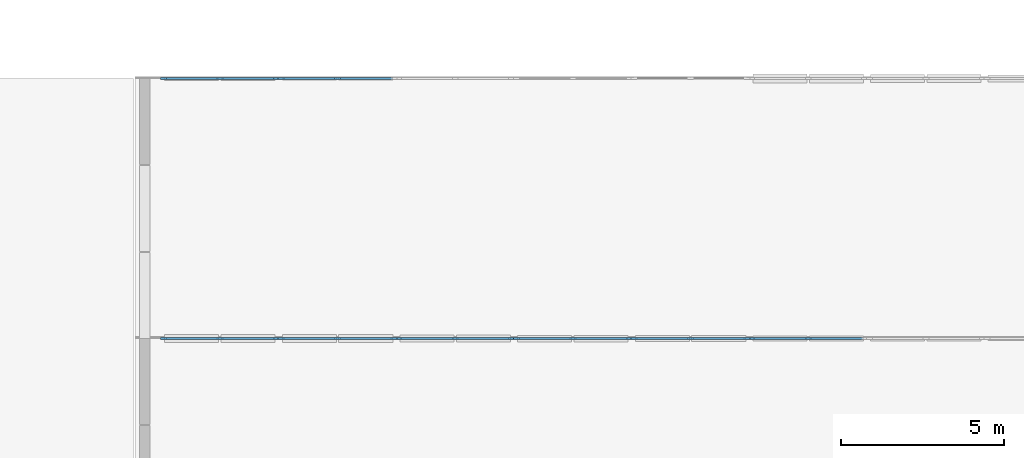
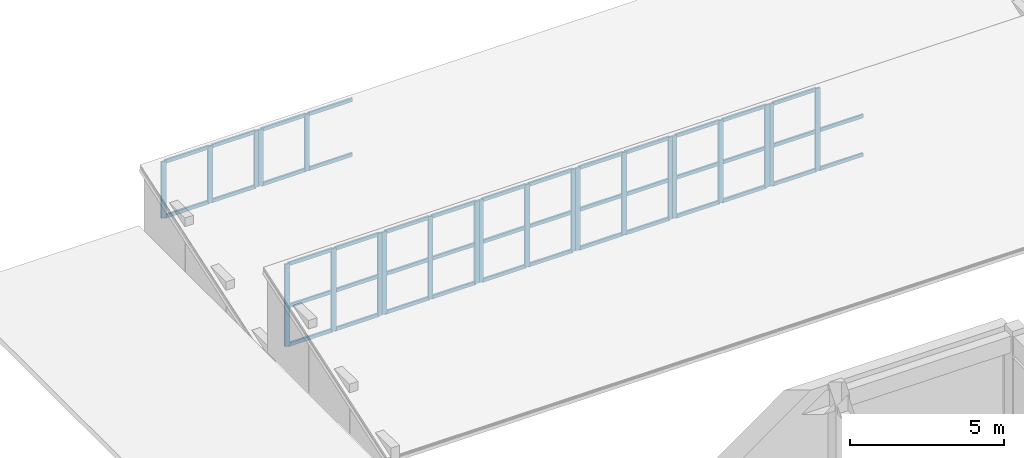
# One storey, part 13 of 45: 65 members, 8 elements without a shape of their own.
"""IFC4 building model written with IfcOpenShell, lengths in metres."""

from ifc_helpers import new_model, si_unit, direction, frame, origin, origin_2d, place, context, subcontext, project, spatial, rectangle, extrude, material, layer, layer_set, material_profile, profile_set, type_object, element, aggregate, save


model = new_model("IFC4")

# Units and contexts
model_context = context("Model", 3, precision=1e-05, world=origin(), true_north=direction((0.0, 1.0)))
body_context = subcontext(model_context, "Body", "Model", "MODEL_VIEW")
ifc_project = project(units=[si_unit("LENGTHUNIT", "METRE"), si_unit("AREAUNIT", "SQUARE_METRE"), si_unit("VOLUMEUNIT", "CUBIC_METRE"), si_unit("PLANEANGLEUNIT", "RADIAN"), si_unit("MASSUNIT", "GRAM", prefix="KILO")], contexts=[model_context])

# Site, building, storey
site_placement = place(None, origin())
site = spatial("IfcSite", under=ifc_project, at=site_placement, CompositionType="ELEMENT")
building_placement = place(site_placement, origin())
building = spatial("IfcBuilding", under=site, at=building_placement, Name="Cinchona Park Media Centre", CompositionType="ELEMENT")
storey_placement = place(building_placement, frame((0.0, 0.0, 20.39990234375)))
storey = spatial("IfcBuildingStorey", under=building, at=storey_placement, Name="L04", CompositionType="ELEMENT", Elevation=20.39990234375)

# Curtain wall, members
ifc_material_1 = material(Name="Aluminium Curtain Wall Framing", Category="aluminium")
ifc_layer = layer(ifc_material_1, 0.31494140625)
ifc_layer_set = layer_set([ifc_layer], Name="Aluminium Curtain Wall Framing")
curtain_wall_type = type_object("IfcCurtainWallType", Name="CW-CW10", PredefinedType="USERDEFINED", material=ifc_layer_set)
curtain_wall_1_placement = place(storey_placement, origin())
curtain_wall_1 = element("IfcCurtainWall", 1, at=curtain_wall_1_placement, inside=storey, type_object=curtain_wall_type, Name="North-Light Sawtooth Clerestory V2 Bay 1.3 CW10 L04", ObjectType="UNITISED CURTAIN WALL", PredefinedType="USERDEFINED")
ifc_material_2 = material(Name="Anodised Aluminium Alloy 6063-T6", Category="aluminium")
ifc_material_profile_1 = material_profile(ifc_material_2, rectangle(XDim=0.070068359375, YDim=0.179931640625, at=origin_2d()), Name="MUL-70X180")
ifc_profile_set_1 = profile_set([ifc_material_profile_1], Name="Anodised Aluminium Alloy 6063-T6")
member_type_1 = type_object("IfcMemberType", Name="MULLION-MUL02", PredefinedType="MULLION", material=ifc_profile_set_1)
member_1_placement = place(storey_placement, frame((35.81005859375, 110.0, -0.219970703125), z_axis=(0.0, 0.0, 1.0), x_axis=(0.0, -1.0, 0.0)))
member_1 = element("IfcMember", 2, at=member_1_placement, type_object=member_type_1, Name="CW10 mullion 2", PredefinedType="MULLION", context=body_context, shape_type="SweptSolid", body=[
    extrude(rectangle(XDim=0.070068359375, YDim=0.179931640625, at=origin_2d()), origin(), (0.0, 0.0, 1.0), 3.257080078125),
])
member_2_placement = place(storey_placement, frame((34.074951171875, 110.0, -0.219970703125), z_axis=(0.0, 0.0, 1.0), x_axis=(0.0, -1.0, 0.0)))
member_2 = element("IfcMember", 3, at=member_2_placement, type_object=member_type_1, Name="CW10 mullion 3", PredefinedType="MULLION", context=body_context, shape_type="SweptSolid", body=[
    extrude(rectangle(XDim=0.070068359375, YDim=0.179931640625, at=origin_2d()), origin(), (0.0, 0.0, 1.0), 3.257080078125),
])

curtain_wall_2_placement = place(storey_placement, origin())
curtain_wall_2 = element("IfcCurtainWall", 4, at=curtain_wall_2_placement, inside=storey, type_object=curtain_wall_type, Name="North-Light Sawtooth Clerestory V2 Bay 1.4 CW10 L04", ObjectType="UNITISED CURTAIN WALL", PredefinedType="USERDEFINED")
member_3_placement = place(storey_placement, frame((33.925048828125, 110.0, -0.219970703125), z_axis=(0.0, 0.0, 1.0), x_axis=(0.0, -1.0, 0.0)))
member_3 = element("IfcMember", 5, at=member_3_placement, type_object=member_type_1, Name="CW10 mullion 1", PredefinedType="MULLION", context=body_context, shape_type="SweptSolid", body=[
    extrude(rectangle(XDim=0.070068359375, YDim=0.179931640625, at=origin_2d()), origin(), (0.0, 0.0, 1.0), 3.257080078125),
])
member_4_placement = place(storey_placement, frame((32.18994140625, 110.0, -0.219970703125), z_axis=(0.0, 0.0, 1.0), x_axis=(0.0, -1.0, 0.0)))
member_4 = element("IfcMember", 6, at=member_4_placement, type_object=member_type_1, Name="CW10 mullion 2", PredefinedType="MULLION", context=body_context, shape_type="SweptSolid", body=[
    extrude(rectangle(XDim=0.070068359375, YDim=0.179931640625, at=origin_2d()), origin(), (0.0, 0.0, 1.0), 3.257080078125),
])
member_5_placement = place(storey_placement, frame((30.455078125, 110.0, -0.219970703125), z_axis=(0.0, 0.0, 1.0), x_axis=(0.0, -1.0, 0.0)))
member_5 = element("IfcMember", 7, at=member_5_placement, type_object=member_type_1, Name="CW10 mullion 3", PredefinedType="MULLION", context=body_context, shape_type="SweptSolid", body=[
    extrude(rectangle(XDim=0.070068359375, YDim=0.179931640625, at=origin_2d()), origin(), (0.0, 0.0, 1.0), 3.257080078125),
])

curtain_wall_3_placement = place(storey_placement, origin())
curtain_wall_3 = element("IfcCurtainWall", 8, at=curtain_wall_3_placement, inside=storey, type_object=curtain_wall_type, Name="North-Light Sawtooth Clerestory V2 Bay 1.5 CW10 L04", ObjectType="UNITISED CURTAIN WALL", PredefinedType="USERDEFINED")
member_6_placement = place(storey_placement, frame((30.304931640625, 110.0, -0.219970703125), z_axis=(0.0, 0.0, 1.0), x_axis=(0.0, -1.0, 0.0)))
member_6 = element("IfcMember", 9, at=member_6_placement, type_object=member_type_1, Name="CW10 mullion 1", PredefinedType="MULLION", context=body_context, shape_type="SweptSolid", body=[
    extrude(rectangle(XDim=0.070068359375, YDim=0.179931640625, at=origin_2d()), origin(), (0.0, 0.0, 1.0), 3.257080078125),
])
member_7_placement = place(storey_placement, frame((28.570068359375, 110.0, -0.219970703125), z_axis=(0.0, 0.0, 1.0), x_axis=(0.0, -1.0, 0.0)))
member_7 = element("IfcMember", 10, at=member_7_placement, type_object=member_type_1, Name="CW10 mullion 2", PredefinedType="MULLION", context=body_context, shape_type="SweptSolid", body=[
    extrude(rectangle(XDim=0.070068359375, YDim=0.179931640625, at=origin_2d()), origin(), (0.0, 0.0, 1.0), 3.257080078125),
])
member_8_placement = place(storey_placement, frame((26.8349609375, 110.0, -0.219970703125), z_axis=(0.0, 0.0, 1.0), x_axis=(0.0, -1.0, 0.0)))
member_8 = element("IfcMember", 11, at=member_8_placement, type_object=member_type_1, Name="CW10 mullion 3", PredefinedType="MULLION", context=body_context, shape_type="SweptSolid", body=[
    extrude(rectangle(XDim=0.070068359375, YDim=0.179931640625, at=origin_2d()), origin(), (0.0, 0.0, 1.0), 3.257080078125),
])

curtain_wall_4_placement = place(storey_placement, origin())
curtain_wall_4 = element("IfcCurtainWall", 12, at=curtain_wall_4_placement, inside=storey, type_object=curtain_wall_type, Name="North-Light Sawtooth Clerestory V2 Bay 1.6 CW10 L04", ObjectType="UNITISED CURTAIN WALL", PredefinedType="USERDEFINED")
member_9_placement = place(storey_placement, frame((26.68505859375, 110.0, -0.219970703125), z_axis=(0.0, 0.0, 1.0), x_axis=(0.0, -1.0, 0.0)))
member_9 = element("IfcMember", 13, at=member_9_placement, type_object=member_type_1, Name="CW10 mullion 1", PredefinedType="MULLION", context=body_context, shape_type="SweptSolid", body=[
    extrude(rectangle(XDim=0.070068359375, YDim=0.179931640625, at=origin_2d()), origin(), (0.0, 0.0, 1.0), 3.257080078125),
])
member_10_placement = place(storey_placement, frame((24.949951171875, 110.0, -0.219970703125), z_axis=(0.0, 0.0, 1.0), x_axis=(0.0, -1.0, 0.0)))
member_10 = element("IfcMember", 14, at=member_10_placement, type_object=member_type_1, Name="CW10 mullion 2", PredefinedType="MULLION", context=body_context, shape_type="SweptSolid", body=[
    extrude(rectangle(XDim=0.070068359375, YDim=0.179931640625, at=origin_2d()), origin(), (0.0, 0.0, 1.0), 3.257080078125),
])
member_11_placement = place(storey_placement, frame((23.215087890625, 110.0, -0.219970703125), z_axis=(0.0, 0.0, 1.0), x_axis=(0.0, -1.0, 0.0)))
member_11 = element("IfcMember", 15, at=member_11_placement, type_object=member_type_1, Name="CW10 mullion 3", PredefinedType="MULLION", context=body_context, shape_type="SweptSolid", body=[
    extrude(rectangle(XDim=0.070068359375, YDim=0.179931640625, at=origin_2d()), origin(), (0.0, 0.0, 1.0), 3.257080078125),
])

curtain_wall_5_placement = place(storey_placement, origin())
curtain_wall_5 = element("IfcCurtainWall", 16, at=curtain_wall_5_placement, inside=storey, type_object=curtain_wall_type, Name="North-Light Sawtooth Clerestory V2 Bay 1.7 CW10 L04", ObjectType="UNITISED CURTAIN WALL", PredefinedType="USERDEFINED")
member_12_placement = place(storey_placement, frame((23.06494140625, 110.0, -0.219970703125), z_axis=(0.0, 0.0, 1.0), x_axis=(0.0, -1.0, 0.0)))
member_12 = element("IfcMember", 17, at=member_12_placement, type_object=member_type_1, Name="CW10 mullion 1", PredefinedType="MULLION", context=body_context, shape_type="SweptSolid", body=[
    extrude(rectangle(XDim=0.070068359375, YDim=0.179931640625, at=origin_2d()), origin(), (0.0, 0.0, 1.0), 3.257080078125),
])
member_13_placement = place(storey_placement, frame((21.330078125, 110.0, -0.219970703125), z_axis=(0.0, 0.0, 1.0), x_axis=(0.0, -1.0, 0.0)))
member_13 = element("IfcMember", 18, at=member_13_placement, type_object=member_type_1, Name="CW10 mullion 2", PredefinedType="MULLION", context=body_context, shape_type="SweptSolid", body=[
    extrude(rectangle(XDim=0.070068359375, YDim=0.179931640625, at=origin_2d()), origin(), (0.0, 0.0, 1.0), 3.257080078125),
])
member_14_placement = place(storey_placement, frame((19.594970703125, 110.0, -0.219970703125), z_axis=(0.0, 0.0, 1.0), x_axis=(0.0, -1.0, 0.0)))
member_14 = element("IfcMember", 19, at=member_14_placement, type_object=member_type_1, Name="CW10 mullion 3", PredefinedType="MULLION", context=body_context, shape_type="SweptSolid", body=[
    extrude(rectangle(XDim=0.070068359375, YDim=0.179931640625, at=origin_2d()), origin(), (0.0, 0.0, 1.0), 3.257080078125),
])

curtain_wall_6_placement = place(storey_placement, origin())
curtain_wall_6 = element("IfcCurtainWall", 20, at=curtain_wall_6_placement, inside=storey, type_object=curtain_wall_type, Name="North-Light Sawtooth Clerestory V2 Bay 1.8 CW10 L04", ObjectType="UNITISED CURTAIN WALL", PredefinedType="USERDEFINED")
member_15_placement = place(storey_placement, frame((19.445068359375, 110.0, -0.219970703125), z_axis=(0.0, 0.0, 1.0), x_axis=(0.0, -1.0, 0.0)))
member_15 = element("IfcMember", 21, at=member_15_placement, type_object=member_type_1, Name="CW10 mullion 1", PredefinedType="MULLION", context=body_context, shape_type="SweptSolid", body=[
    extrude(rectangle(XDim=0.070068359375, YDim=0.179931640625, at=origin_2d()), origin(), (0.0, 0.0, 1.0), 3.257080078125),
])
member_16_placement = place(storey_placement, frame((17.7099609375, 110.0, -0.219970703125), z_axis=(0.0, 0.0, 1.0), x_axis=(0.0, -1.0, 0.0)))
member_16 = element("IfcMember", 22, at=member_16_placement, type_object=member_type_1, Name="CW10 mullion 2", PredefinedType="MULLION", context=body_context, shape_type="SweptSolid", body=[
    extrude(rectangle(XDim=0.070068359375, YDim=0.179931640625, at=origin_2d()), origin(), (0.0, 0.0, 1.0), 3.257080078125),
])
member_17_placement = place(storey_placement, frame((15.97509765625, 110.0, -0.219970703125), z_axis=(0.0, 0.0, 1.0), x_axis=(0.0, -1.0, 0.0)))
member_17 = element("IfcMember", 23, at=member_17_placement, type_object=member_type_1, Name="CW10 mullion 3", PredefinedType="MULLION", context=body_context, shape_type="SweptSolid", body=[
    extrude(rectangle(XDim=0.070068359375, YDim=0.179931640625, at=origin_2d()), origin(), (0.0, 0.0, 1.0), 3.257080078125),
])

curtain_wall_7_placement = place(storey_placement, origin())
curtain_wall_7 = element("IfcCurtainWall", 24, at=curtain_wall_7_placement, inside=storey, type_object=curtain_wall_type, Name="North-Light Sawtooth Clerestory V2 Bay 2.7 CW10 L04", ObjectType="UNITISED CURTAIN WALL", PredefinedType="USERDEFINED")
member_18_placement = place(storey_placement, frame((21.330078125, 118.0, 0.0), z_axis=(0.0, 0.0, 1.0), x_axis=(0.0, -1.0, 0.0)))
member_18 = element("IfcMember", 25, at=member_18_placement, type_object=member_type_1, Name="CW10 mullion 2", PredefinedType="MULLION", context=body_context, shape_type="SweptSolid", body=[
    extrude(rectangle(XDim=0.070068359375, YDim=0.179931640625, at=origin_2d()), origin(), (0.0, 0.0, 1.0), 2.237060546875),
])
member_19_placement = place(storey_placement, frame((19.594970703125, 118.0, 0.0), z_axis=(0.0, 0.0, 1.0), x_axis=(0.0, -1.0, 0.0)))
member_19 = element("IfcMember", 26, at=member_19_placement, type_object=member_type_1, Name="CW10 mullion 3", PredefinedType="MULLION", context=body_context, shape_type="SweptSolid", body=[
    extrude(rectangle(XDim=0.070068359375, YDim=0.179931640625, at=origin_2d()), origin(), (0.0, 0.0, 1.0), 2.237060546875),
])

curtain_wall_8_placement = place(storey_placement, origin())
curtain_wall_8 = element("IfcCurtainWall", 27, at=curtain_wall_8_placement, inside=storey, type_object=curtain_wall_type, Name="North-Light Sawtooth Clerestory V2 Bay 2.8 CW10 L04", ObjectType="UNITISED CURTAIN WALL", PredefinedType="USERDEFINED")
member_20_placement = place(storey_placement, frame((19.445068359375, 118.0, 0.0), z_axis=(0.0, 0.0, 1.0), x_axis=(0.0, -1.0, 0.0)))
member_20 = element("IfcMember", 28, at=member_20_placement, type_object=member_type_1, Name="CW10 mullion 1", PredefinedType="MULLION", context=body_context, shape_type="SweptSolid", body=[
    extrude(rectangle(XDim=0.070068359375, YDim=0.179931640625, at=origin_2d()), origin(), (0.0, 0.0, 1.0), 2.237060546875),
])
member_21_placement = place(storey_placement, frame((17.7099609375, 118.0, 0.0), z_axis=(0.0, 0.0, 1.0), x_axis=(0.0, -1.0, 0.0)))
member_21 = element("IfcMember", 29, at=member_21_placement, type_object=member_type_1, Name="CW10 mullion 2", PredefinedType="MULLION", context=body_context, shape_type="SweptSolid", body=[
    extrude(rectangle(XDim=0.070068359375, YDim=0.179931640625, at=origin_2d()), origin(), (0.0, 0.0, 1.0), 2.237060546875),
])
member_22_placement = place(storey_placement, frame((15.97509765625, 118.0, 0.0), z_axis=(0.0, 0.0, 1.0), x_axis=(0.0, -1.0, 0.0)))
member_22 = element("IfcMember", 30, at=member_22_placement, type_object=member_type_1, Name="CW10 mullion 3", PredefinedType="MULLION", context=body_context, shape_type="SweptSolid", body=[
    extrude(rectangle(XDim=0.070068359375, YDim=0.179931640625, at=origin_2d()), origin(), (0.0, 0.0, 1.0), 2.237060546875),
])

# Member
ifc_material_3 = material(Name="Anodised Aluminium Alloy 6063-T6", Category="aluminium")
ifc_material_profile_2 = material_profile(ifc_material_3, rectangle(XDim=0.070068359375, YDim=0.139892578125, at=origin_2d()), Name="TRN-70X140")
ifc_profile_set_2 = profile_set([ifc_material_profile_2], Name="Anodised Aluminium Alloy 6063-T6")
member_type_2 = type_object("IfcMemberType", Name="TRANSOM-TRN02", PredefinedType="USERDEFINED", material=ifc_profile_set_2)
member_23_placement = place(storey_placement, frame((37.510009765625, 110.0, -0.184814453125), z_axis=(-1.0, 0.0, 0.0), x_axis=(0.0, -1.0, 0.0)))
member_23 = element("IfcMember", 31, at=member_23_placement, type_object=member_type_2, Name="CW10 transom 1.1", ObjectType="TRANSOM", PredefinedType="USERDEFINED", context=body_context, shape_type="SweptSolid", body=[
    extrude(rectangle(XDim=0.070068359375, YDim=0.139892578125, at=origin_2d()), origin(), (0.0, 0.0, 1.0), 1.6650390625),
])

member_24_placement = place(storey_placement, frame((37.510009765625, 110.0, 1.343017578125), z_axis=(-1.0, 0.0, 0.0), x_axis=(0.0, -1.0, 0.0)))
member_24 = element("IfcMember", 32, at=member_24_placement, type_object=member_type_2, Name="CW10 transom 1.2", ObjectType="TRANSOM", PredefinedType="USERDEFINED", context=body_context, shape_type="SweptSolid", body=[
    extrude(rectangle(XDim=0.070068359375, YDim=0.139892578125, at=origin_2d()), origin(), (0.0, 0.0, 1.0), 1.6650390625),
])

member_25_placement = place(storey_placement, frame((35.77490234375, 110.0, -0.184814453125), z_axis=(-1.0, 0.0, 0.0), x_axis=(0.0, -1.0, 0.0)))
member_25 = element("IfcMember", 33, at=member_25_placement, type_object=member_type_2, Name="CW10 transom 2.1", ObjectType="TRANSOM", PredefinedType="USERDEFINED", context=body_context, shape_type="SweptSolid", body=[
    extrude(rectangle(XDim=0.070068359375, YDim=0.139892578125, at=origin_2d()), origin(), (0.0, 0.0, 1.0), 1.664794921875),
])

member_26_placement = place(storey_placement, frame((35.77490234375, 110.0, 1.343017578125), z_axis=(-1.0, 0.0, 0.0), x_axis=(0.0, -1.0, 0.0)))
member_26 = element("IfcMember", 34, at=member_26_placement, type_object=member_type_2, Name="CW10 transom 2.2", ObjectType="TRANSOM", PredefinedType="USERDEFINED", context=body_context, shape_type="SweptSolid", body=[
    extrude(rectangle(XDim=0.070068359375, YDim=0.139892578125, at=origin_2d()), origin(), (0.0, 0.0, 1.0), 1.664794921875),
])

member_27_placement = place(storey_placement, frame((35.77490234375, 110.0, 3.002197265625), z_axis=(-1.0, 0.0, 0.0), x_axis=(0.0, -1.0, 0.0)))
member_27 = element("IfcMember", 35, at=member_27_placement, type_object=member_type_2, Name="CW10 transom 2.3", ObjectType="TRANSOM", PredefinedType="USERDEFINED", context=body_context, shape_type="SweptSolid", body=[
    extrude(rectangle(XDim=0.070068359375, YDim=0.139892578125, at=origin_2d()), origin(), (0.0, 0.0, 1.0), 1.664794921875),
])

aggregate(curtain_wall_1, [member_1, member_2, member_23, member_24, member_25, member_26, member_27])

member_28_placement = place(storey_placement, frame((33.889892578125, 110.0, -0.184814453125), z_axis=(-1.0, 0.0, 0.0), x_axis=(0.0, -1.0, 0.0)))
member_28 = element("IfcMember", 36, at=member_28_placement, type_object=member_type_2, Name="CW10 transom 1.1", ObjectType="TRANSOM", PredefinedType="USERDEFINED", context=body_context, shape_type="SweptSolid", body=[
    extrude(rectangle(XDim=0.070068359375, YDim=0.139892578125, at=origin_2d()), origin(), (0.0, 0.0, 1.0), 1.664794921875),
])

member_29_placement = place(storey_placement, frame((33.889892578125, 110.0, 1.343017578125), z_axis=(-1.0, 0.0, 0.0), x_axis=(0.0, -1.0, 0.0)))
member_29 = element("IfcMember", 37, at=member_29_placement, type_object=member_type_2, Name="CW10 transom 1.2", ObjectType="TRANSOM", PredefinedType="USERDEFINED", context=body_context, shape_type="SweptSolid", body=[
    extrude(rectangle(XDim=0.070068359375, YDim=0.139892578125, at=origin_2d()), origin(), (0.0, 0.0, 1.0), 1.664794921875),
])

member_30_placement = place(storey_placement, frame((33.889892578125, 110.0, 3.002197265625), z_axis=(-1.0, 0.0, 0.0), x_axis=(0.0, -1.0, 0.0)))
member_30 = element("IfcMember", 38, at=member_30_placement, type_object=member_type_2, Name="CW10 transom 1.3", ObjectType="TRANSOM", PredefinedType="USERDEFINED", context=body_context, shape_type="SweptSolid", body=[
    extrude(rectangle(XDim=0.070068359375, YDim=0.139892578125, at=origin_2d()), origin(), (0.0, 0.0, 1.0), 1.664794921875),
])

member_31_placement = place(storey_placement, frame((32.155029296875, 110.0, -0.184814453125), z_axis=(-1.0, 0.0, 0.0), x_axis=(0.0, -1.0, 0.0)))
member_31 = element("IfcMember", 39, at=member_31_placement, type_object=member_type_2, Name="CW10 transom 2.1", ObjectType="TRANSOM", PredefinedType="USERDEFINED", context=body_context, shape_type="SweptSolid", body=[
    extrude(rectangle(XDim=0.070068359375, YDim=0.139892578125, at=origin_2d()), origin(), (0.0, 0.0, 1.0), 1.6650390625),
])

member_32_placement = place(storey_placement, frame((32.155029296875, 110.0, 1.343017578125), z_axis=(-1.0, 0.0, 0.0), x_axis=(0.0, -1.0, 0.0)))
member_32 = element("IfcMember", 40, at=member_32_placement, type_object=member_type_2, Name="CW10 transom 2.2", ObjectType="TRANSOM", PredefinedType="USERDEFINED", context=body_context, shape_type="SweptSolid", body=[
    extrude(rectangle(XDim=0.070068359375, YDim=0.139892578125, at=origin_2d()), origin(), (0.0, 0.0, 1.0), 1.6650390625),
])

member_33_placement = place(storey_placement, frame((32.155029296875, 110.0, 3.002197265625), z_axis=(-1.0, 0.0, 0.0), x_axis=(0.0, -1.0, 0.0)))
member_33 = element("IfcMember", 41, at=member_33_placement, type_object=member_type_2, Name="CW10 transom 2.3", ObjectType="TRANSOM", PredefinedType="USERDEFINED", context=body_context, shape_type="SweptSolid", body=[
    extrude(rectangle(XDim=0.070068359375, YDim=0.139892578125, at=origin_2d()), origin(), (0.0, 0.0, 1.0), 1.6650390625),
])

aggregate(curtain_wall_2, [member_3, member_4, member_5, member_28, member_29, member_30, member_31, member_32, member_33])

member_34_placement = place(storey_placement, frame((30.27001953125, 110.0, -0.184814453125), z_axis=(-1.0, 0.0, 0.0), x_axis=(0.0, -1.0, 0.0)))
member_34 = element("IfcMember", 42, at=member_34_placement, type_object=member_type_2, Name="CW10 transom 1.1", ObjectType="TRANSOM", PredefinedType="USERDEFINED", context=body_context, shape_type="SweptSolid", body=[
    extrude(rectangle(XDim=0.070068359375, YDim=0.139892578125, at=origin_2d()), origin(), (0.0, 0.0, 1.0), 1.6650390625),
])

member_35_placement = place(storey_placement, frame((30.27001953125, 110.0, 1.343017578125), z_axis=(-1.0, 0.0, 0.0), x_axis=(0.0, -1.0, 0.0)))
member_35 = element("IfcMember", 43, at=member_35_placement, type_object=member_type_2, Name="CW10 transom 1.2", ObjectType="TRANSOM", PredefinedType="USERDEFINED", context=body_context, shape_type="SweptSolid", body=[
    extrude(rectangle(XDim=0.070068359375, YDim=0.139892578125, at=origin_2d()), origin(), (0.0, 0.0, 1.0), 1.6650390625),
])

member_36_placement = place(storey_placement, frame((30.27001953125, 110.0, 3.002197265625), z_axis=(-1.0, 0.0, 0.0), x_axis=(0.0, -1.0, 0.0)))
member_36 = element("IfcMember", 44, at=member_36_placement, type_object=member_type_2, Name="CW10 transom 1.3", ObjectType="TRANSOM", PredefinedType="USERDEFINED", context=body_context, shape_type="SweptSolid", body=[
    extrude(rectangle(XDim=0.070068359375, YDim=0.139892578125, at=origin_2d()), origin(), (0.0, 0.0, 1.0), 1.6650390625),
])

member_37_placement = place(storey_placement, frame((28.534912109375, 110.0, -0.184814453125), z_axis=(-1.0, 0.0, 0.0), x_axis=(0.0, -1.0, 0.0)))
member_37 = element("IfcMember", 45, at=member_37_placement, type_object=member_type_2, Name="CW10 transom 2.1", ObjectType="TRANSOM", PredefinedType="USERDEFINED", context=body_context, shape_type="SweptSolid", body=[
    extrude(rectangle(XDim=0.070068359375, YDim=0.139892578125, at=origin_2d()), origin(), (0.0, 0.0, 1.0), 1.664794921875),
])

member_38_placement = place(storey_placement, frame((28.534912109375, 110.0, 1.343017578125), z_axis=(-1.0, 0.0, 0.0), x_axis=(0.0, -1.0, 0.0)))
member_38 = element("IfcMember", 46, at=member_38_placement, type_object=member_type_2, Name="CW10 transom 2.2", ObjectType="TRANSOM", PredefinedType="USERDEFINED", context=body_context, shape_type="SweptSolid", body=[
    extrude(rectangle(XDim=0.070068359375, YDim=0.139892578125, at=origin_2d()), origin(), (0.0, 0.0, 1.0), 1.664794921875),
])

member_39_placement = place(storey_placement, frame((28.534912109375, 110.0, 3.002197265625), z_axis=(-1.0, 0.0, 0.0), x_axis=(0.0, -1.0, 0.0)))
member_39 = element("IfcMember", 47, at=member_39_placement, type_object=member_type_2, Name="CW10 transom 2.3", ObjectType="TRANSOM", PredefinedType="USERDEFINED", context=body_context, shape_type="SweptSolid", body=[
    extrude(rectangle(XDim=0.070068359375, YDim=0.139892578125, at=origin_2d()), origin(), (0.0, 0.0, 1.0), 1.664794921875),
])

aggregate(curtain_wall_3, [member_6, member_7, member_8, member_34, member_35, member_36, member_37, member_38, member_39])

member_40_placement = place(storey_placement, frame((26.64990234375, 110.0, -0.184814453125), z_axis=(-1.0, 0.0, 0.0), x_axis=(0.0, -1.0, 0.0)))
member_40 = element("IfcMember", 48, at=member_40_placement, type_object=member_type_2, Name="CW10 transom 1.1", ObjectType="TRANSOM", PredefinedType="USERDEFINED", context=body_context, shape_type="SweptSolid", body=[
    extrude(rectangle(XDim=0.070068359375, YDim=0.139892578125, at=origin_2d()), origin(), (0.0, 0.0, 1.0), 1.664794921875),
])

member_41_placement = place(storey_placement, frame((26.64990234375, 110.0, 1.343017578125), z_axis=(-1.0, 0.0, 0.0), x_axis=(0.0, -1.0, 0.0)))
member_41 = element("IfcMember", 49, at=member_41_placement, type_object=member_type_2, Name="CW10 transom 1.2", ObjectType="TRANSOM", PredefinedType="USERDEFINED", context=body_context, shape_type="SweptSolid", body=[
    extrude(rectangle(XDim=0.070068359375, YDim=0.139892578125, at=origin_2d()), origin(), (0.0, 0.0, 1.0), 1.664794921875),
])

member_42_placement = place(storey_placement, frame((26.64990234375, 110.0, 3.002197265625), z_axis=(-1.0, 0.0, 0.0), x_axis=(0.0, -1.0, 0.0)))
member_42 = element("IfcMember", 50, at=member_42_placement, type_object=member_type_2, Name="CW10 transom 1.3", ObjectType="TRANSOM", PredefinedType="USERDEFINED", context=body_context, shape_type="SweptSolid", body=[
    extrude(rectangle(XDim=0.070068359375, YDim=0.139892578125, at=origin_2d()), origin(), (0.0, 0.0, 1.0), 1.664794921875),
])

member_43_placement = place(storey_placement, frame((24.9150390625, 110.0, -0.184814453125), z_axis=(-1.0, 0.0, 0.0), x_axis=(0.0, -1.0, 0.0)))
member_43 = element("IfcMember", 51, at=member_43_placement, type_object=member_type_2, Name="CW10 transom 2.1", ObjectType="TRANSOM", PredefinedType="USERDEFINED", context=body_context, shape_type="SweptSolid", body=[
    extrude(rectangle(XDim=0.070068359375, YDim=0.139892578125, at=origin_2d()), origin(), (0.0, 0.0, 1.0), 1.6650390625),
])

member_44_placement = place(storey_placement, frame((24.9150390625, 110.0, 1.343017578125), z_axis=(-1.0, 0.0, 0.0), x_axis=(0.0, -1.0, 0.0)))
member_44 = element("IfcMember", 52, at=member_44_placement, type_object=member_type_2, Name="CW10 transom 2.2", ObjectType="TRANSOM", PredefinedType="USERDEFINED", context=body_context, shape_type="SweptSolid", body=[
    extrude(rectangle(XDim=0.070068359375, YDim=0.139892578125, at=origin_2d()), origin(), (0.0, 0.0, 1.0), 1.6650390625),
])

member_45_placement = place(storey_placement, frame((24.9150390625, 110.0, 3.002197265625), z_axis=(-1.0, 0.0, 0.0), x_axis=(0.0, -1.0, 0.0)))
member_45 = element("IfcMember", 53, at=member_45_placement, type_object=member_type_2, Name="CW10 transom 2.3", ObjectType="TRANSOM", PredefinedType="USERDEFINED", context=body_context, shape_type="SweptSolid", body=[
    extrude(rectangle(XDim=0.070068359375, YDim=0.139892578125, at=origin_2d()), origin(), (0.0, 0.0, 1.0), 1.6650390625),
])

aggregate(curtain_wall_4, [member_9, member_10, member_11, member_40, member_41, member_42, member_43, member_44, member_45])

member_46_placement = place(storey_placement, frame((23.030029296875, 110.0, -0.184814453125), z_axis=(-1.0, 0.0, 0.0), x_axis=(0.0, -1.0, 0.0)))
member_46 = element("IfcMember", 54, at=member_46_placement, type_object=member_type_2, Name="CW10 transom 1.1", ObjectType="TRANSOM", PredefinedType="USERDEFINED", context=body_context, shape_type="SweptSolid", body=[
    extrude(rectangle(XDim=0.070068359375, YDim=0.139892578125, at=origin_2d()), origin(), (0.0, 0.0, 1.0), 1.6650390625),
])

member_47_placement = place(storey_placement, frame((23.030029296875, 110.0, 1.343017578125), z_axis=(-1.0, 0.0, 0.0), x_axis=(0.0, -1.0, 0.0)))
member_47 = element("IfcMember", 55, at=member_47_placement, type_object=member_type_2, Name="CW10 transom 1.2", ObjectType="TRANSOM", PredefinedType="USERDEFINED", context=body_context, shape_type="SweptSolid", body=[
    extrude(rectangle(XDim=0.070068359375, YDim=0.139892578125, at=origin_2d()), origin(), (0.0, 0.0, 1.0), 1.6650390625),
])

member_48_placement = place(storey_placement, frame((23.030029296875, 110.0, 3.002197265625), z_axis=(-1.0, 0.0, 0.0), x_axis=(0.0, -1.0, 0.0)))
member_48 = element("IfcMember", 56, at=member_48_placement, type_object=member_type_2, Name="CW10 transom 1.3", ObjectType="TRANSOM", PredefinedType="USERDEFINED", context=body_context, shape_type="SweptSolid", body=[
    extrude(rectangle(XDim=0.070068359375, YDim=0.139892578125, at=origin_2d()), origin(), (0.0, 0.0, 1.0), 1.6650390625),
])

member_49_placement = place(storey_placement, frame((21.294921875, 110.0, -0.184814453125), z_axis=(-1.0, 0.0, 0.0), x_axis=(0.0, -1.0, 0.0)))
member_49 = element("IfcMember", 57, at=member_49_placement, type_object=member_type_2, Name="CW10 transom 2.1", ObjectType="TRANSOM", PredefinedType="USERDEFINED", context=body_context, shape_type="SweptSolid", body=[
    extrude(rectangle(XDim=0.070068359375, YDim=0.139892578125, at=origin_2d()), origin(), (0.0, 0.0, 1.0), 1.6650390625),
])

member_50_placement = place(storey_placement, frame((21.294921875, 110.0, 1.343017578125), z_axis=(-1.0, 0.0, 0.0), x_axis=(0.0, -1.0, 0.0)))
member_50 = element("IfcMember", 58, at=member_50_placement, type_object=member_type_2, Name="CW10 transom 2.2", ObjectType="TRANSOM", PredefinedType="USERDEFINED", context=body_context, shape_type="SweptSolid", body=[
    extrude(rectangle(XDim=0.070068359375, YDim=0.139892578125, at=origin_2d()), origin(), (0.0, 0.0, 1.0), 1.6650390625),
])

member_51_placement = place(storey_placement, frame((21.294921875, 110.0, 3.002197265625), z_axis=(-1.0, 0.0, 0.0), x_axis=(0.0, -1.0, 0.0)))
member_51 = element("IfcMember", 59, at=member_51_placement, type_object=member_type_2, Name="CW10 transom 2.3", ObjectType="TRANSOM", PredefinedType="USERDEFINED", context=body_context, shape_type="SweptSolid", body=[
    extrude(rectangle(XDim=0.070068359375, YDim=0.139892578125, at=origin_2d()), origin(), (0.0, 0.0, 1.0), 1.6650390625),
])

aggregate(curtain_wall_5, [member_12, member_13, member_14, member_46, member_47, member_48, member_49, member_50, member_51])

member_52_placement = place(storey_placement, frame((19.409912109375, 110.0, -0.184814453125), z_axis=(-1.0, 0.0, 0.0), x_axis=(0.0, -1.0, 0.0)))
member_52 = element("IfcMember", 60, at=member_52_placement, type_object=member_type_2, Name="CW10 transom 1.1", ObjectType="TRANSOM", PredefinedType="USERDEFINED", context=body_context, shape_type="SweptSolid", body=[
    extrude(rectangle(XDim=0.070068359375, YDim=0.139892578125, at=origin_2d()), origin(), (0.0, 0.0, 1.0), 1.664794921875),
])

member_53_placement = place(storey_placement, frame((19.409912109375, 110.0, 1.343017578125), z_axis=(-1.0, 0.0, 0.0), x_axis=(0.0, -1.0, 0.0)))
member_53 = element("IfcMember", 61, at=member_53_placement, type_object=member_type_2, Name="CW10 transom 1.2", ObjectType="TRANSOM", PredefinedType="USERDEFINED", context=body_context, shape_type="SweptSolid", body=[
    extrude(rectangle(XDim=0.070068359375, YDim=0.139892578125, at=origin_2d()), origin(), (0.0, 0.0, 1.0), 1.664794921875),
])

member_54_placement = place(storey_placement, frame((19.409912109375, 110.0, 3.002197265625), z_axis=(-1.0, 0.0, 0.0), x_axis=(0.0, -1.0, 0.0)))
member_54 = element("IfcMember", 62, at=member_54_placement, type_object=member_type_2, Name="CW10 transom 1.3", ObjectType="TRANSOM", PredefinedType="USERDEFINED", context=body_context, shape_type="SweptSolid", body=[
    extrude(rectangle(XDim=0.070068359375, YDim=0.139892578125, at=origin_2d()), origin(), (0.0, 0.0, 1.0), 1.664794921875),
])

member_55_placement = place(storey_placement, frame((17.675048828125, 110.0, -0.184814453125), z_axis=(-1.0, 0.0, 0.0), x_axis=(0.0, -1.0, 0.0)))
member_55 = element("IfcMember", 63, at=member_55_placement, type_object=member_type_2, Name="CW10 transom 2.1", ObjectType="TRANSOM", PredefinedType="USERDEFINED", context=body_context, shape_type="SweptSolid", body=[
    extrude(rectangle(XDim=0.070068359375, YDim=0.139892578125, at=origin_2d()), origin(), (0.0, 0.0, 1.0), 1.6650390625),
])

member_56_placement = place(storey_placement, frame((17.675048828125, 110.0, 1.343017578125), z_axis=(-1.0, 0.0, 0.0), x_axis=(0.0, -1.0, 0.0)))
member_56 = element("IfcMember", 64, at=member_56_placement, type_object=member_type_2, Name="CW10 transom 2.2", ObjectType="TRANSOM", PredefinedType="USERDEFINED", context=body_context, shape_type="SweptSolid", body=[
    extrude(rectangle(XDim=0.070068359375, YDim=0.139892578125, at=origin_2d()), origin(), (0.0, 0.0, 1.0), 1.6650390625),
])

member_57_placement = place(storey_placement, frame((17.675048828125, 110.0, 3.002197265625), z_axis=(-1.0, 0.0, 0.0), x_axis=(0.0, -1.0, 0.0)))
member_57 = element("IfcMember", 65, at=member_57_placement, type_object=member_type_2, Name="CW10 transom 2.3", ObjectType="TRANSOM", PredefinedType="USERDEFINED", context=body_context, shape_type="SweptSolid", body=[
    extrude(rectangle(XDim=0.070068359375, YDim=0.139892578125, at=origin_2d()), origin(), (0.0, 0.0, 1.0), 1.6650390625),
])

aggregate(curtain_wall_6, [member_15, member_16, member_17, member_52, member_53, member_54, member_55, member_56, member_57])

member_58_placement = place(storey_placement, frame((23.030029296875, 118.0, 0.03515625), z_axis=(-1.0, 0.0, 0.0), x_axis=(0.0, -1.0, 0.0)))
member_58 = element("IfcMember", 66, at=member_58_placement, type_object=member_type_2, Name="CW10 transom 1.1", ObjectType="TRANSOM", PredefinedType="USERDEFINED", context=body_context, shape_type="SweptSolid", body=[
    extrude(rectangle(XDim=0.070068359375, YDim=0.139892578125, at=origin_2d()), origin(), (0.0, 0.0, 1.0), 1.6650390625),
])

member_59_placement = place(storey_placement, frame((23.030029296875, 118.0, 2.2021484375), z_axis=(-1.0, 0.0, 0.0), x_axis=(0.0, -1.0, 0.0)))
member_59 = element("IfcMember", 67, at=member_59_placement, type_object=member_type_2, Name="CW10 transom 1.2", ObjectType="TRANSOM", PredefinedType="USERDEFINED", context=body_context, shape_type="SweptSolid", body=[
    extrude(rectangle(XDim=0.070068359375, YDim=0.139892578125, at=origin_2d()), origin(), (0.0, 0.0, 1.0), 1.6650390625),
])

member_60_placement = place(storey_placement, frame((21.294921875, 118.0, 0.03515625), z_axis=(-1.0, 0.0, 0.0), x_axis=(0.0, -1.0, 0.0)))
member_60 = element("IfcMember", 68, at=member_60_placement, type_object=member_type_2, Name="CW10 transom 2.1", ObjectType="TRANSOM", PredefinedType="USERDEFINED", context=body_context, shape_type="SweptSolid", body=[
    extrude(rectangle(XDim=0.070068359375, YDim=0.139892578125, at=origin_2d()), origin(), (0.0, 0.0, 1.0), 1.6650390625),
])

member_61_placement = place(storey_placement, frame((21.294921875, 118.0, 2.2021484375), z_axis=(-1.0, 0.0, 0.0), x_axis=(0.0, -1.0, 0.0)))
member_61 = element("IfcMember", 69, at=member_61_placement, type_object=member_type_2, Name="CW10 transom 2.2", ObjectType="TRANSOM", PredefinedType="USERDEFINED", context=body_context, shape_type="SweptSolid", body=[
    extrude(rectangle(XDim=0.070068359375, YDim=0.139892578125, at=origin_2d()), origin(), (0.0, 0.0, 1.0), 1.6650390625),
])

aggregate(curtain_wall_7, [member_18, member_19, member_58, member_59, member_60, member_61])

member_62_placement = place(storey_placement, frame((19.409912109375, 118.0, 0.03515625), z_axis=(-1.0, 0.0, 0.0), x_axis=(0.0, -1.0, 0.0)))
member_62 = element("IfcMember", 70, at=member_62_placement, type_object=member_type_2, Name="CW10 transom 1.1", ObjectType="TRANSOM", PredefinedType="USERDEFINED", context=body_context, shape_type="SweptSolid", body=[
    extrude(rectangle(XDim=0.070068359375, YDim=0.139892578125, at=origin_2d()), origin(), (0.0, 0.0, 1.0), 1.664794921875),
])

member_63_placement = place(storey_placement, frame((19.409912109375, 118.0, 2.2021484375), z_axis=(-1.0, 0.0, 0.0), x_axis=(0.0, -1.0, 0.0)))
member_63 = element("IfcMember", 71, at=member_63_placement, type_object=member_type_2, Name="CW10 transom 1.2", ObjectType="TRANSOM", PredefinedType="USERDEFINED", context=body_context, shape_type="SweptSolid", body=[
    extrude(rectangle(XDim=0.070068359375, YDim=0.139892578125, at=origin_2d()), origin(), (0.0, 0.0, 1.0), 1.664794921875),
])

member_64_placement = place(storey_placement, frame((17.675048828125, 118.0, 0.03515625), z_axis=(-1.0, 0.0, 0.0), x_axis=(0.0, -1.0, 0.0)))
member_64 = element("IfcMember", 72, at=member_64_placement, type_object=member_type_2, Name="CW10 transom 2.1", ObjectType="TRANSOM", PredefinedType="USERDEFINED", context=body_context, shape_type="SweptSolid", body=[
    extrude(rectangle(XDim=0.070068359375, YDim=0.139892578125, at=origin_2d()), origin(), (0.0, 0.0, 1.0), 1.6650390625),
])

member_65_placement = place(storey_placement, frame((17.675048828125, 118.0, 2.2021484375), z_axis=(-1.0, 0.0, 0.0), x_axis=(0.0, -1.0, 0.0)))
member_65 = element("IfcMember", 73, at=member_65_placement, type_object=member_type_2, Name="CW10 transom 2.2", ObjectType="TRANSOM", PredefinedType="USERDEFINED", context=body_context, shape_type="SweptSolid", body=[
    extrude(rectangle(XDim=0.070068359375, YDim=0.139892578125, at=origin_2d()), origin(), (0.0, 0.0, 1.0), 1.6650390625),
])

aggregate(curtain_wall_8, [member_20, member_21, member_22, member_62, member_63, member_64, member_65])

save(model, "model.ifc")
